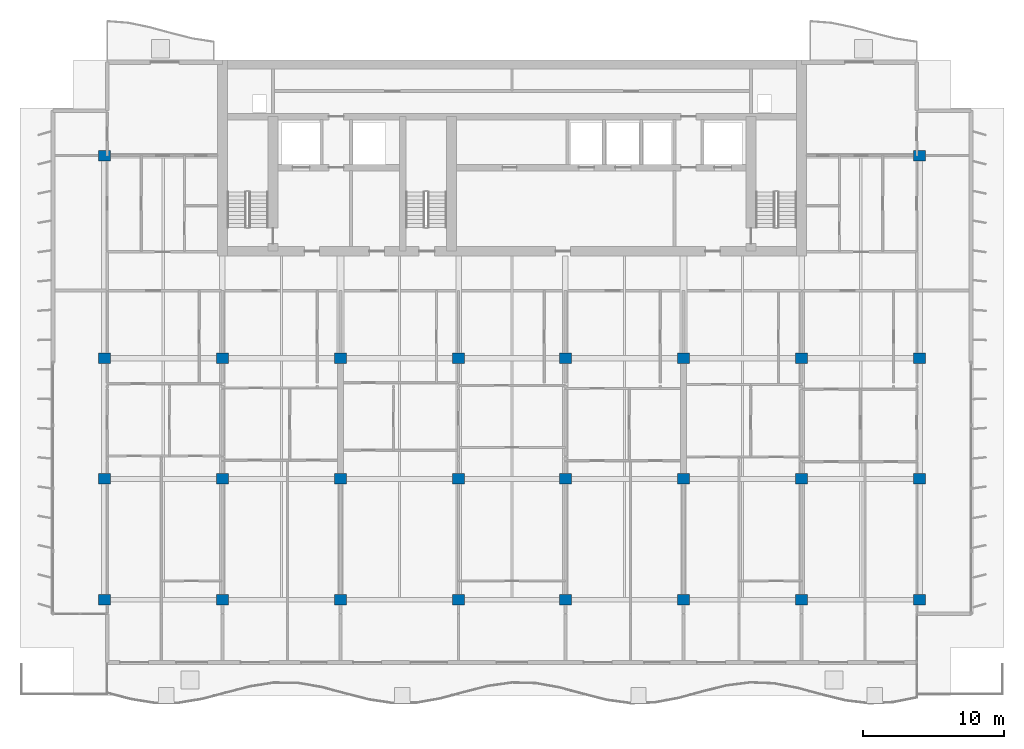
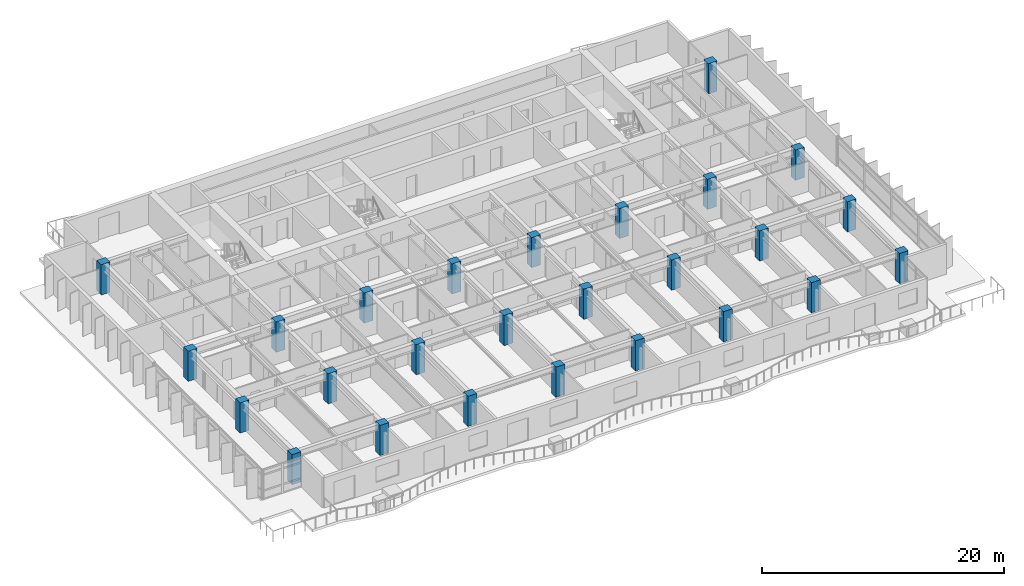
# One storey, part 1 of 17: 26 columns.
"""IFC4 building model written with IfcOpenShell, lengths in metres."""

from ifc_helpers import new_model, si_unit, direction, frame, origin, origin_2d, place, context, subcontext, project, spatial, rectangle, extrude, material, material_profile, profile_set, type_object, element, save


model = new_model("IFC4")

# Units and contexts
model_context = context("Model", 3, precision=1e-05, world=origin(), true_north=direction((0.0, 1.0)))
body_context = subcontext(model_context, "Body", "Model", "MODEL_VIEW")
ifc_project = project(units=[si_unit("LENGTHUNIT", "METRE"), si_unit("AREAUNIT", "SQUARE_METRE"), si_unit("VOLUMEUNIT", "CUBIC_METRE"), si_unit("PLANEANGLEUNIT", "RADIAN"), si_unit("MASSUNIT", "GRAM", prefix="KILO")], contexts=[model_context])

# Site, building, storey
site_placement = place(None, origin())
site = spatial("IfcSite", under=ifc_project, at=site_placement, CompositionType="ELEMENT")
building_placement = place(site_placement, origin())
building = spatial("IfcBuilding", under=site, at=building_placement, Name="Caelmar Bay Residences", CompositionType="ELEMENT")
storey_placement = place(building_placement, frame((0.0, 0.0, 157.199951171875)))
storey = spatial("IfcBuildingStorey", under=building, at=storey_placement, Name="L43", CompositionType="ELEMENT", Elevation=157.199951171875)

# Columns
ifc_material = material(Name="Concrete f'c 55 MPa (8,000 psi)", Category="concrete")
ifc_material_profile = material_profile(ifc_material, rectangle(XDim=0.85009765625, YDim=0.75, at=origin_2d()), Name="RC-COL-850X750")
ifc_profile_set = profile_set([ifc_material_profile], Name="Concrete f'c 55 MPa (8,000 psi)")
column_type = type_object("IfcColumnType", Name="COL-RC-850X750", PredefinedType="COLUMN", material=ifc_profile_set)
for number, where, z_axis, x_axis, name in (
    (1, (9.89990234375, 12.199951171875, 0.0), (0.0, 0.0, 1.0), (1.0, 0.0, 0.0), "L43 Column (9.90,12.20)"),
    (2, (18.300048828125, 12.199951171875, 0.0), (0.0, 0.0, 1.0), (1.0, 0.0, 0.0), "L43 Column (18.30,12.20)"),
    (3, (26.699951171875, 12.199951171875, 0.0), (0.0, 0.0, 1.0), (1.0, 0.0, 0.0), "L43 Column (26.70,12.20)"),
    (4, (35.10009765625, 12.199951171875, 0.0), (0.0, 0.0, 1.0), (1.0, 0.0, 0.0), "L43 Column (35.10,12.20)"),
    (5, (42.699951171875, 12.199951171875, 0.0), (0.0, 0.0, 1.0), (1.0, 0.0, 0.0), "L43 Column (42.70,12.20)"),
    (6, (51.10009765625, 12.199951171875, 0.0), (0.0, 0.0, 1.0), (1.0, 0.0, 0.0), "L43 Column (51.10,12.20)"),
    (7, (59.5, 12.199951171875, 0.0), (0.0, 0.0, 1.0), (1.0, 0.0, 0.0), "L43 Column (59.50,12.20)"),
    (8, (67.89990234375, 12.199951171875, 0.0), (0.0, 0.0, 1.0), (1.0, 0.0, 0.0), "L43 Column (67.90,12.20)"),
    (9, (9.89990234375, 20.800048828125, 0.0), (0.0, 0.0, 1.0), (1.0, 0.0, 0.0), "L43 Column (9.90,20.80)"),
    (10, (18.300048828125, 20.800048828125, 0.0), (0.0, 0.0, 1.0), (1.0, 0.0, 0.0), "L43 Column (18.30,20.80)"),
    (11, (26.699951171875, 20.800048828125, 0.0), (0.0, 0.0, 1.0), (1.0, 0.0, 0.0), "L43 Column (26.70,20.80)"),
    (12, (35.10009765625, 20.800048828125, 0.0), (0.0, 0.0, 1.0), (1.0, 0.0, 0.0), "L43 Column (35.10,20.80)"),
    (13, (42.699951171875, 20.800048828125, 0.0), (0.0, 0.0, 1.0), (1.0, 0.0, 0.0), "L43 Column (42.70,20.80)"),
    (14, (51.10009765625, 20.800048828125, 0.0), (0.0, 0.0, 1.0), (1.0, 0.0, 0.0), "L43 Column (51.10,20.80)"),
    (15, (59.5, 20.800048828125, 0.0), (0.0, 0.0, 1.0), (1.0, 0.0, 0.0), "L43 Column (59.50,20.80)"),
    (16, (67.89990234375, 20.800048828125, 0.0), (0.0, 0.0, 1.0), (1.0, 0.0, 0.0), "L43 Column (67.90,20.80)"),
    (17, (9.89990234375, 29.39990234375, 0.0), (0.0, 0.0, 1.0), (1.0, 0.0, 0.0), "L43 Column (9.90,29.40)"),
    (18, (18.300048828125, 29.39990234375, 0.0), (0.0, 0.0, 1.0), (1.0, 0.0, 0.0), "L43 Column (18.30,29.40)"),
    (19, (26.699951171875, 29.39990234375, 0.0), (0.0, 0.0, 1.0), (1.0, 0.0, 0.0), "L43 Column (26.70,29.40)"),
    (20, (35.10009765625, 29.39990234375, 0.0), (0.0, 0.0, 1.0), (1.0, 0.0, 0.0), "L43 Column (35.10,29.40)"),
    (21, (42.699951171875, 29.39990234375, 0.0), (0.0, 0.0, 1.0), (1.0, 0.0, 0.0), "L43 Column (42.70,29.40)"),
    (22, (51.10009765625, 29.39990234375, 0.0), (0.0, 0.0, 1.0), (1.0, 0.0, 0.0), "L43 Column (51.10,29.40)"),
    (23, (59.5, 29.39990234375, 0.0), (0.0, 0.0, 1.0), (1.0, 0.0, 0.0), "L43 Column (59.50,29.40)"),
    (24, (67.89990234375, 29.39990234375, 0.0), (0.0, 0.0, 1.0), (1.0, 0.0, 0.0), "L43 Column (67.90,29.40)"),
    (25, (9.89990234375, 43.800048828125, 0.0), (0.0, 0.0, 1.0), (1.0, 0.0, 0.0), "L43 Column (9.90,43.80)"),
    (26, (67.89990234375, 43.800048828125, 0.0), (0.0, 0.0, 1.0), (1.0, 0.0, 0.0), "L43 Column (67.90,43.80)"),
):
    element("IfcColumn", number, at=place(storey_placement, frame(where, z_axis=z_axis, x_axis=x_axis)), inside=storey, type_object=column_type, Name=name, PredefinedType="COLUMN", context=body_context, shape_type="SweptSolid", body=[
        extrude(rectangle(XDim=0.85009765625, YDim=0.75, at=origin_2d()), origin(), (0.0, 0.0, 1.0), 3.050048828125),
    ])

save(model, "model.ifc")
